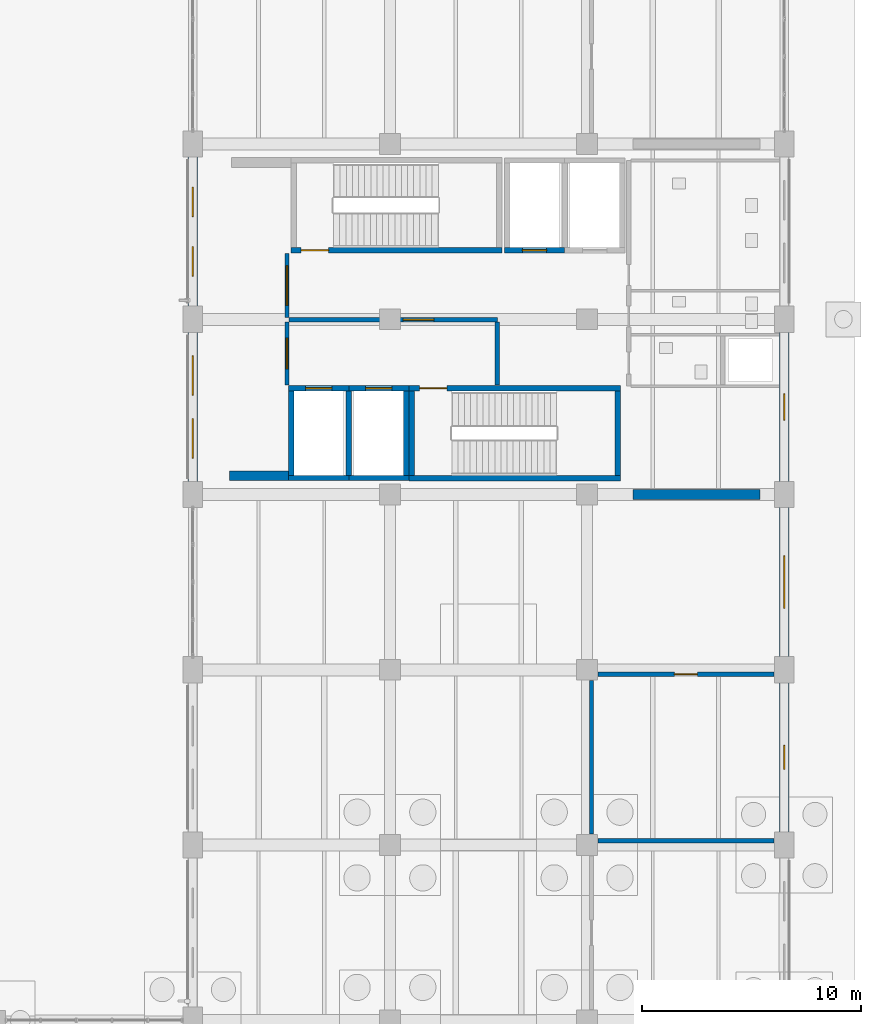
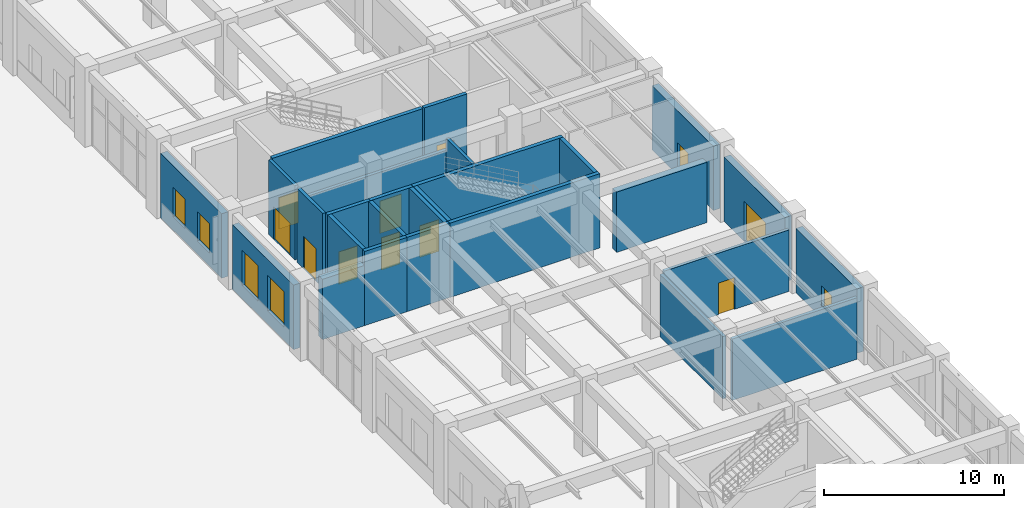
# One storey, part 98 of 121: 27 walls, 12 doors, 4 windows, 16 openings.
"""IFC4 building model written with IfcOpenShell, lengths in metres."""

from ifc_helpers import new_model, si_unit, derived_unit, direction, frame, frame_2d, origin, place, context, subcontext, project, spatial, rectangle, extrude, material, layer, layer_set, type_object, element, fill, save


model = new_model("IFC4")

# Units and contexts
model_context = context("Model", 3, precision=1e-05, world=origin(), true_north=direction((0.0, 1.0)))
body_context = subcontext(model_context, "Body", "Model", "MODEL_VIEW")
ifc_project = project(units=[si_unit("LENGTHUNIT", "METRE"), si_unit("AREAUNIT", "SQUARE_METRE"), si_unit("VOLUMEUNIT", "CUBIC_METRE"), si_unit("PLANEANGLEUNIT", "RADIAN"), si_unit("MASSUNIT", "GRAM", prefix="KILO"), derived_unit("THERMALTRANSMITTANCEUNIT", [(si_unit("MASSUNIT", "GRAM", prefix="KILO"), 1), (si_unit("TIMEUNIT", "SECOND"), -3), (si_unit("THERMODYNAMICTEMPERATUREUNIT", "KELVIN"), -1)])], contexts=[model_context])

# Site, building, storey
site_placement = place(None, origin())
site = spatial("IfcSite", under=ifc_project, at=site_placement, CompositionType="ELEMENT")
building_placement = place(site_placement, origin())
building = spatial("IfcBuilding", under=site, at=building_placement, Name="Zhenchuan Archway Interchange", CompositionType="ELEMENT")
storey_placement = place(building_placement, origin())
storey = spatial("IfcBuildingStorey", under=building, at=storey_placement, Name="L00", CompositionType="ELEMENT", Elevation=0.0)

# Wall, opening, door
ifc_material_1 = material(Name="Granite Stone Cladding", Category="masonry")
ifc_layer_1 = layer(ifc_material_1, 0.419921875)
ifc_layer_set_1 = layer_set([ifc_layer_1], Name="Granite Stone Cladding")
wall_type_1 = type_object("IfcWallType", Name="EW_GRANITE_420", PredefinedType="STANDARD", material=ifc_layer_set_1)
wall_1_placement = place(storey_placement, frame((171.0, 55.402099609375, 0.0), z_axis=(0.0, 0.0, 1.0), x_axis=(0.0, -1.0, 0.0)))
wall_1 = element("IfcWall", 1, at=wall_1_placement, inside=storey, type_object=wall_type_1, Name="Exterior wall L00-071", PredefinedType="STANDARD", context=body_context, shape_type="SweptSolid", body=[
    extrude(rectangle(XDim=6.80419921875, YDim=0.419921875, at=frame_2d((3.402099609375, 0.0))), origin(), (0.0, 0.0, 1.0), 4.3798828125),
])
opening_1_placement = place(wall_1_placement, frame((2.802001953125, 0.0, 0.0)))
opening_1 = element("IfcOpeningElement", 2, at=opening_1_placement, cuts=wall_1, Name="Opening ED-06", PredefinedType="OPENING", context=body_context, shape_type="SweptSolid", body=[
    extrude(rectangle(XDim=1.199951171875, YDim=2.199951171875, at=frame_2d((0.60009765625, 1.10009765625))), frame((0.0, 0.221923828125, 0.0), z_axis=(0.0, -1.0, 0.0), x_axis=(1.0, 0.0, 0.0)), (0.0, 0.0, 1.0), 0.44384765625),
])
ifc_material_2 = material(Name="Painted Galvanised Steel", Category="steel")
door_type_1 = type_object("IfcDoorType", Name="ED_EXIT_1200x2200", OperationType="NOTDEFINED", PredefinedType="DOOR", material=ifc_material_2)
door_1_placement = place(opening_1_placement, origin())
door_1 = element("IfcDoor", 3, at=door_1_placement, inside=storey, type_object=door_type_1, Name="Exterior entrance door L00-028", OperationType="SINGLE_SWING_RIGHT", OverallHeight=2.199951171875, OverallWidth=1.199951171875, PredefinedType="DOOR", context=body_context, shape_type="SweptSolid", body=[
    extrude(rectangle(XDim=1.199951171875, YDim=2.199951171875, at=frame_2d((0.60009765625, 1.10009765625))), frame((0.0, 0.02490234375, 0.0), z_axis=(0.0, -1.0, 0.0), x_axis=(1.0, 0.0, 0.0)), (0.0, 0.0, 1.0), 0.050048828125),
])
fill(opening_1, door_1)

wall_2_placement = place(storey_placement, frame((171.0, 47.402099609375, 0.0), z_axis=(0.0, 0.0, 1.0), x_axis=(0.0, -1.0, 0.0)))
wall_2 = element("IfcWall", 4, at=wall_2_placement, inside=storey, type_object=wall_type_1, Name="Exterior wall L00-072", PredefinedType="STANDARD", context=body_context, shape_type="SweptSolid", body=[
    extrude(rectangle(XDim=6.80419921875, YDim=0.419921875, at=frame_2d((3.402099609375, 0.0))), origin(), (0.0, 0.0, 1.0), 4.3798828125),
])
opening_2_placement = place(wall_2_placement, frame((2.201904296875, 0.0, 0.0)))
opening_2 = element("IfcOpeningElement", 5, at=opening_2_placement, cuts=wall_2, Name="Opening ED-01", PredefinedType="OPENING", context=body_context, shape_type="SweptSolid", body=[
    extrude(rectangle(XDim=2.39990234375, YDim=2.699951171875, at=frame_2d((1.199951171875, 1.35009765625))), frame((0.0, 0.221923828125, 0.0), z_axis=(0.0, -1.0, 0.0), x_axis=(1.0, 0.0, 0.0)), (0.0, 0.0, 1.0), 0.44384765625),
])
ifc_material_3 = material(Name="Anodised Aluminium", Category="aluminium")
door_type_2 = type_object("IfcDoorType", Name="ED_MAIN_2400x2700", OperationType="DOUBLE_DOOR_SINGLE_SWING", PredefinedType="DOOR", material=ifc_material_3)
door_2_placement = place(opening_2_placement, origin())
door_2 = element("IfcDoor", 6, at=door_2_placement, inside=storey, type_object=door_type_2, Name="Exterior entrance door L00-029", OperationType="SINGLE_SWING_LEFT", OverallHeight=2.699951171875, OverallWidth=2.39990234375, PredefinedType="DOOR", context=body_context, shape_type="SweptSolid", body=[
    extrude(rectangle(XDim=2.39990234375, YDim=2.699951171875, at=frame_2d((1.199951171875, 1.35009765625))), frame((0.0, 0.02490234375, 0.0), z_axis=(0.0, -1.0, 0.0), x_axis=(1.0, 0.0, 0.0)), (0.0, 0.0, 1.0), 0.050048828125),
])
fill(opening_2, door_2)

wall_3_placement = place(storey_placement, frame((171.0, 39.402099609375, 0.0), z_axis=(0.0, 0.0, 1.0), x_axis=(0.0, -1.0, 0.0)))
wall_3 = element("IfcWall", 7, at=wall_3_placement, inside=storey, type_object=wall_type_1, Name="Exterior wall L00-073", PredefinedType="STANDARD", context=body_context, shape_type="SweptSolid", body=[
    extrude(rectangle(XDim=6.80419921875, YDim=0.419921875, at=frame_2d((3.402099609375, 0.0))), origin(), (0.0, 0.0, 1.0), 4.3798828125),
])
opening_3_placement = place(wall_3_placement, frame((2.85205078125, 0.0, 0.0)))
opening_3 = element("IfcOpeningElement", 8, at=opening_3_placement, cuts=wall_3, Name="Opening ED-07", PredefinedType="OPENING", context=body_context, shape_type="SweptSolid", body=[
    extrude(rectangle(XDim=1.10009765625, YDim=2.199951171875, at=frame_2d((0.550048828125, 1.10009765625))), frame((0.0, 0.221923828125, 0.0), z_axis=(0.0, -1.0, 0.0), x_axis=(1.0, 0.0, 0.0)), (0.0, 0.0, 1.0), 0.44384765625),
])
door_type_3 = type_object("IfcDoorType", Name="ED_FCR_1100x2200", OperationType="NOTDEFINED", PredefinedType="DOOR", material=ifc_material_2)
door_3_placement = place(opening_3_placement, origin())
door_3 = element("IfcDoor", 9, at=door_3_placement, inside=storey, type_object=door_type_3, Name="Exterior entrance door L00-030", OperationType="SINGLE_SWING_LEFT", OverallHeight=2.199951171875, OverallWidth=1.10009765625, PredefinedType="DOOR", context=body_context, shape_type="SweptSolid", body=[
    extrude(rectangle(XDim=1.10009765625, YDim=2.199951171875, at=frame_2d((0.550048828125, 1.10009765625))), frame((0.0, 0.02490234375, 0.0), z_axis=(0.0, -1.0, 0.0), x_axis=(1.0, 0.0, 0.0)), (0.0, 0.0, 1.0), 0.050048828125),
])
fill(opening_3, door_3)

# Wall, openings, windows
wall_4_placement = place(storey_placement, frame((144.0, 48.597900390625, 0.0), z_axis=(0.0, 0.0, 1.0), x_axis=(0.0, 1.0, 0.0)))
wall_4 = element("IfcWall", 10, at=wall_4_placement, inside=storey, type_object=wall_type_1, Name="Exterior wall L00-106", PredefinedType="STANDARD", context=body_context, shape_type="SweptSolid", body=[
    extrude(rectangle(XDim=6.80419921875, YDim=0.419921875, at=frame_2d((3.402099609375, 0.0))), origin(), (0.0, 0.0, 1.0), 4.3798828125),
])
opening_4_placement = place(wall_4_placement, frame((1.068115234375, 0.0, 0.89990234375)))
opening_4 = element("IfcOpeningElement", 11, at=opening_4_placement, cuts=wall_4, Name="Opening W-03", PredefinedType="OPENING", context=body_context, shape_type="SweptSolid", body=[
    extrude(rectangle(XDim=1.800048828125, YDim=2.39990234375, at=frame_2d((0.89990234375, 1.199951171875))), frame((0.0, 0.221923828125, 0.0), z_axis=(0.0, -1.0, 0.0), x_axis=(1.0, 0.0, 0.0)), (0.0, 0.0, 1.0), 0.44384765625),
])
opening_5_placement = place(wall_4_placement, frame((3.93603515625, 0.0, 0.89990234375)))
opening_5 = element("IfcOpeningElement", 12, at=opening_5_placement, cuts=wall_4, Name="Opening W-03", PredefinedType="OPENING", context=body_context, shape_type="SweptSolid", body=[
    extrude(rectangle(XDim=1.800048828125, YDim=2.39990234375, at=frame_2d((0.89990234375, 1.199951171875))), frame((0.0, 0.221923828125, 0.0), z_axis=(0.0, -1.0, 0.0), x_axis=(1.0, 0.0, 0.0)), (0.0, 0.0, 1.0), 0.44384765625),
])
ifc_material_4 = material(Name="Double Low-E Insulated Glazing", Category="glass")
window_type_1 = type_object("IfcWindowType", Name="WN_PUNCH_1800x2400", PartitioningType="SINGLE_PANEL", PredefinedType="WINDOW", material=ifc_material_4)
window_1_placement = place(opening_4_placement, origin())
window_1 = element("IfcWindow", 13, at=window_1_placement, inside=storey, type_object=window_type_1, Name="Window L00-0084", OverallHeight=2.39990234375, OverallWidth=1.800048828125, PartitioningType="SINGLE_PANEL", PredefinedType="WINDOW", context=body_context, shape_type="SweptSolid", body=[
    extrude(rectangle(XDim=1.800048828125, YDim=2.39990234375, at=frame_2d((0.89990234375, 1.199951171875))), frame((0.0, 0.030029296875, 0.0), z_axis=(0.0, -1.0, 0.0), x_axis=(1.0, 0.0, 0.0)), (0.0, 0.0, 1.0), 0.06005859375),
])
fill(opening_4, window_1)
window_2_placement = place(opening_5_placement, origin())
window_2 = element("IfcWindow", 14, at=window_2_placement, inside=storey, type_object=window_type_1, Name="Window L00-0085", OverallHeight=2.39990234375, OverallWidth=1.800048828125, PartitioningType="SINGLE_PANEL", PredefinedType="WINDOW", context=body_context, shape_type="SweptSolid", body=[
    extrude(rectangle(XDim=1.800048828125, YDim=2.39990234375, at=frame_2d((0.89990234375, 1.199951171875))), frame((0.0, 0.030029296875, 0.0), z_axis=(0.0, -1.0, 0.0), x_axis=(1.0, 0.0, 0.0)), (0.0, 0.0, 1.0), 0.06005859375),
])
fill(opening_5, window_2)

wall_5_placement = place(storey_placement, frame((144.0, 56.597900390625, 0.0), z_axis=(0.0, 0.0, 1.0), x_axis=(0.0, 1.0, 0.0)))
wall_5 = element("IfcWall", 15, at=wall_5_placement, inside=storey, type_object=wall_type_1, Name="Exterior wall L00-107", PredefinedType="STANDARD", context=body_context, shape_type="SweptSolid", body=[
    extrude(rectangle(XDim=6.80419921875, YDim=0.419921875, at=frame_2d((3.402099609375, 0.0))), origin(), (0.0, 0.0, 1.0), 4.3798828125),
])
opening_6_placement = place(wall_5_placement, frame((1.367919921875, 0.0, 0.89990234375)))
opening_6 = element("IfcOpeningElement", 16, at=opening_6_placement, cuts=wall_5, Name="Opening W-06", PredefinedType="OPENING", context=body_context, shape_type="SweptSolid", body=[
    extrude(rectangle(XDim=1.35009765625, YDim=2.0, at=frame_2d((0.675048828125, 1.0))), frame((0.0, 0.221923828125, 0.0), z_axis=(0.0, -1.0, 0.0), x_axis=(1.0, 0.0, 0.0)), (0.0, 0.0, 1.0), 0.44384765625),
])
opening_7_placement = place(wall_5_placement, frame((4.0859375, 0.0, 0.89990234375)))
opening_7 = element("IfcOpeningElement", 17, at=opening_7_placement, cuts=wall_5, Name="Opening W-06", PredefinedType="OPENING", context=body_context, shape_type="SweptSolid", body=[
    extrude(rectangle(XDim=1.35009765625, YDim=2.0, at=frame_2d((0.675048828125, 1.0))), frame((0.0, 0.221923828125, 0.0), z_axis=(0.0, -1.0, 0.0), x_axis=(1.0, 0.0, 0.0)), (0.0, 0.0, 1.0), 0.44384765625),
])
window_type_2 = type_object("IfcWindowType", Name="WN_MOD_1350x2000", PartitioningType="SINGLE_PANEL", PredefinedType="WINDOW", material=ifc_material_4)
window_3_placement = place(opening_6_placement, origin())
window_3 = element("IfcWindow", 18, at=window_3_placement, inside=storey, type_object=window_type_2, Name="Window L00-0086", OverallHeight=2.0, OverallWidth=1.35009765625, PartitioningType="SINGLE_PANEL", PredefinedType="WINDOW", context=body_context, shape_type="SweptSolid", body=[
    extrude(rectangle(XDim=1.35009765625, YDim=2.0, at=frame_2d((0.675048828125, 1.0))), frame((0.0, 0.030029296875, 0.0), z_axis=(0.0, -1.0, 0.0), x_axis=(1.0, 0.0, 0.0)), (0.0, 0.0, 1.0), 0.06005859375),
])
fill(opening_6, window_3)
window_4_placement = place(opening_7_placement, origin())
window_4 = element("IfcWindow", 19, at=window_4_placement, inside=storey, type_object=window_type_2, Name="Window L00-0087", OverallHeight=2.0, OverallWidth=1.35009765625, PartitioningType="SINGLE_PANEL", PredefinedType="WINDOW", context=body_context, shape_type="SweptSolid", body=[
    extrude(rectangle(XDim=1.35009765625, YDim=2.0, at=frame_2d((0.675048828125, 1.0))), frame((0.0, 0.030029296875, 0.0), z_axis=(0.0, -1.0, 0.0), x_axis=(1.0, 0.0, 0.0)), (0.0, 0.0, 1.0), 0.06005859375),
])
fill(opening_7, window_4)

# Walls
ifc_material_5 = material(Name="Concrete C50", Category="concrete")
ifc_layer_2 = layer(ifc_material_5, 0.449951171875)
ifc_layer_set_2 = layer_set([ifc_layer_2], Name="Concrete C50")
wall_type_2 = type_object("IfcWallType", Name="WL_CORE_450", PredefinedType="SHEAR", material=ifc_layer_set_2)
wall_6_placement = place(storey_placement, frame((145.679931640625, 48.85498046875, 0.0), z_axis=(0.0, 0.0, 1.0), x_axis=(1.0, 0.0, 0.0)))
element("IfcWall", 20, at=wall_6_placement, inside=storey, type_object=wall_type_2, Name="Operations lateral shear wall W-S (L00)", PredefinedType="SHEAR", context=body_context, shape_type="SweptSolid", body=[
    extrude(rectangle(XDim=2.699951171875, YDim=0.449951171875, at=frame_2d((1.35009765625, 0.0))), origin(), (0.0, 0.0, 1.0), 4.10009765625),
])
wall_7_placement = place(storey_placement, frame((164.10009765625, 48.0, 0.0), z_axis=(0.0, 0.0, 1.0), x_axis=(1.0, 0.0, 0.0)))
element("IfcWall", 21, at=wall_7_placement, inside=storey, type_object=wall_type_2, Name="Operations lateral shear wall E-S (L00)", PredefinedType="SHEAR", context=body_context, shape_type="SweptSolid", body=[
    extrude(rectangle(XDim=5.7998046875, YDim=0.449951171875, at=frame_2d((2.89990234375, 0.0))), origin(), (0.0, 0.0, 1.0), 4.10009765625),
])

# Wall, opening, door
ifc_material_6 = material(Name="Autoclaved Aerated Concrete Block", Category="concrete")
ifc_layer_3 = layer(ifc_material_6, 0.199951171875)
ifc_layer_set_3 = layer_set([ifc_layer_3], Name="Autoclaved Aerated Concrete Block")
wall_type_3 = type_object("IfcWallType", Name="WL_FIRE_200", PredefinedType="STANDARD", material=ifc_layer_set_3)
wall_8_placement = place(storey_placement, frame((148.39990234375, 55.97998046875, 0.0), z_axis=(0.0, 0.0, 1.0), x_axis=(1.0, 0.0, 0.0)))
wall_8 = element("IfcWall", 22, at=wall_8_placement, inside=storey, type_object=wall_type_3, Name="Firefighting lift lobby smoke divider (L00)", PredefinedType="STANDARD", context=body_context, shape_type="SweptSolid", body=[
    extrude(rectangle(XDim=9.5, YDim=0.199951171875, at=frame_2d((4.75, 0.0))), origin(), (0.0, 0.0, 1.0), 4.22998046875),
])
opening_8_placement = place(wall_8_placement, frame((5.199951171875, 0.0, 0.0)))
opening_8 = element("IfcOpeningElement", 23, at=opening_8_placement, cuts=wall_8, Name="Opening FD-04", PredefinedType="OPENING", context=body_context, shape_type="SweptSolid", body=[
    extrude(rectangle(XDim=1.39990234375, YDim=2.199951171875, at=frame_2d((0.699951171875, 1.10009765625))), frame((0.0, 0.11181640625, 0.0), z_axis=(0.0, -1.0, 0.0), x_axis=(1.0, 0.0, 0.0)), (0.0, 0.0, 1.0), 0.223876953125),
])
door_type_4 = type_object("IfcDoorType", Name="DR_LOB_FD60", OperationType="DOUBLE_DOOR_SINGLE_SWING", PredefinedType="DOOR", material=ifc_material_2)
door_4_placement = place(opening_8_placement, origin())
door_4 = element("IfcDoor", 24, at=door_4_placement, inside=storey, type_object=door_type_4, Name="Firefighting to passenger lobby smoke door (L00)", OperationType="DOUBLE_DOOR_SINGLE_SWING", OverallHeight=2.199951171875, OverallWidth=1.39990234375, PredefinedType="DOOR", context=body_context, shape_type="SweptSolid", body=[
    extrude(rectangle(XDim=1.39990234375, YDim=2.199951171875, at=frame_2d((0.699951171875, 1.10009765625))), frame((0.0, 0.02490234375, 0.0), z_axis=(0.0, -1.0, 0.0), x_axis=(1.0, 0.0, 0.0)), (0.0, 0.0, 1.0), 0.050048828125),
])
fill(opening_8, door_4)

# Wall
wall_9_placement = place(storey_placement, frame((157.89990234375, 52.989990234375, 0.0), z_axis=(0.0, 0.0, 1.0), x_axis=(0.0, 1.0, 0.0)))
element("IfcWall", 25, at=wall_9_placement, inside=storey, type_object=wall_type_3, Name="Firefighting lift lobby east fire wall (L00)", PredefinedType="STANDARD", context=body_context, shape_type="SweptSolid", body=[
    extrude(rectangle(XDim=2.880126953125, YDim=0.199951171875, at=frame_2d((1.43994140625, 0.0))), origin(), (0.0, 0.0, 1.0), 5.050048828125),
])

# Wall, opening, door
wall_10_placement = place(storey_placement, frame((148.300048828125, 52.989990234375, 0.0), z_axis=(0.0, 0.0, 1.0), x_axis=(0.0, 1.0, 0.0)))
wall_10 = element("IfcWall", 26, at=wall_10_placement, inside=storey, type_object=wall_type_3, Name="Firefighting lift lobby west fire wall (L00)", PredefinedType="STANDARD", context=body_context, shape_type="SweptSolid", body=[
    extrude(rectangle(XDim=2.880126953125, YDim=0.199951171875, at=frame_2d((1.43994140625, 0.0))), origin(), (0.0, 0.0, 1.0), 5.050048828125),
])
opening_9_placement = place(wall_10_placement, frame((0.75, 0.0, 0.0)))
opening_9 = element("IfcOpeningElement", 27, at=opening_9_placement, cuts=wall_10, Name="Opening FD-04", PredefinedType="OPENING", context=body_context, shape_type="SweptSolid", body=[
    extrude(rectangle(XDim=1.39990234375, YDim=2.199951171875, at=frame_2d((0.699951171875, 1.10009765625))), frame((0.0, 0.11181640625, 0.0), z_axis=(0.0, -1.0, 0.0), x_axis=(1.0, 0.0, 0.0)), (0.0, 0.0, 1.0), 0.223876953125),
])
door_5_placement = place(opening_9_placement, origin())
door_5 = element("IfcDoor", 28, at=door_5_placement, inside=storey, type_object=door_type_4, Name="Firefighting lift lobby corridor fire door (L00)", OperationType="DOUBLE_DOOR_SINGLE_SWING", OverallHeight=2.199951171875, OverallWidth=1.39990234375, PredefinedType="DOOR", context=body_context, shape_type="SweptSolid", body=[
    extrude(rectangle(XDim=1.39990234375, YDim=2.199951171875, at=frame_2d((0.699951171875, 1.10009765625))), frame((0.0, 0.02490234375, 0.0), z_axis=(0.0, -1.0, 0.0), x_axis=(1.0, 0.0, 0.0)), (0.0, 0.0, 1.0), 0.050048828125),
])
fill(opening_9, door_5)

wall_11_placement = place(storey_placement, frame((148.300048828125, 56.090087890625, 0.0), z_axis=(0.0, 0.0, 1.0), x_axis=(0.0, 1.0, 0.0)))
wall_11 = element("IfcWall", 29, at=wall_11_placement, inside=storey, type_object=wall_type_3, Name="Passenger lift lobby west fire wall (L00)", PredefinedType="STANDARD", context=body_context, shape_type="SweptSolid", body=[
    extrude(rectangle(XDim=2.919921875, YDim=0.199951171875, at=frame_2d((1.4599609375, 0.0))), origin(), (0.0, 0.0, 1.0), 5.050048828125),
])
opening_10_placement = place(wall_11_placement, frame((0.550048828125, 0.0, 0.0)))
opening_10 = element("IfcOpeningElement", 30, at=opening_10_placement, cuts=wall_11, Name="Opening ID-01", PredefinedType="OPENING", context=body_context, shape_type="SweptSolid", body=[
    extrude(rectangle(XDim=1.800048828125, YDim=2.199951171875, at=frame_2d((0.89990234375, 1.10009765625))), frame((0.0, 0.11181640625, 0.0), z_axis=(0.0, -1.0, 0.0), x_axis=(1.0, 0.0, 0.0)), (0.0, 0.0, 1.0), 0.223876953125),
])
door_type_5 = type_object("IfcDoorType", Name="DR_LOBBY_DBL", OperationType="DOUBLE_DOOR_SINGLE_SWING", PredefinedType="DOOR", material=ifc_material_3)
door_6_placement = place(opening_10_placement, origin())
door_6 = element("IfcDoor", 31, at=door_6_placement, inside=storey, type_object=door_type_5, Name="Passenger lift lobby entrance door (L00)", OperationType="DOUBLE_DOOR_SINGLE_SWING", OverallHeight=2.199951171875, OverallWidth=1.800048828125, PredefinedType="DOOR", context=body_context, shape_type="SweptSolid", body=[
    extrude(rectangle(XDim=1.800048828125, YDim=2.199951171875, at=frame_2d((0.89990234375, 1.10009765625))), frame((0.0, 0.02490234375, 0.0), z_axis=(0.0, -1.0, 0.0), x_axis=(1.0, 0.0, 0.0)), (0.0, 0.0, 1.0), 0.050048828125),
])
fill(opening_10, door_6)

# Wall
wall_12_placement = place(storey_placement, frame((162.5, 32.199951171875, 0.0), z_axis=(0.0, 0.0, 1.0), x_axis=(1.0, 0.0, 0.0)))
element("IfcWall", 32, at=wall_12_placement, inside=storey, type_object=wall_type_3, Name="Fire Control Room S partition (L00)", PredefinedType="STANDARD", context=body_context, shape_type="SweptSolid", body=[
    extrude(rectangle(XDim=8.02490234375, YDim=0.199951171875, at=frame_2d((4.012451171875, 0.0))), origin(), (0.0, 0.0, 1.0), 4.179931640625),
])

# Wall, opening, door
wall_13_placement = place(storey_placement, frame((162.5, 39.800048828125, 0.0), z_axis=(0.0, 0.0, 1.0), x_axis=(1.0, 0.0, 0.0)))
wall_13 = element("IfcWall", 33, at=wall_13_placement, inside=storey, type_object=wall_type_3, Name="Fire Control Room N partition (L00)", PredefinedType="STANDARD", context=body_context, shape_type="SweptSolid", body=[
    extrude(rectangle(XDim=8.02490234375, YDim=0.199951171875, at=frame_2d((4.012451171875, 0.0))), origin(), (0.0, 0.0, 1.0), 4.179931640625),
])
opening_11_placement = place(wall_13_placement, frame((3.487548828125, 0.0, 0.0)))
opening_11 = element("IfcOpeningElement", 34, at=opening_11_placement, cuts=wall_13, Name="Opening FD-03", PredefinedType="OPENING", context=body_context, shape_type="SweptSolid", body=[
    extrude(rectangle(XDim=1.050048828125, YDim=2.14990234375, at=frame_2d((0.52490234375, 1.074951171875))), frame((0.0, 0.11181640625, 0.0), z_axis=(0.0, -1.0, 0.0), x_axis=(1.0, 0.0, 0.0)), (0.0, 0.0, 1.0), 0.223876953125),
])
door_type_6 = type_object("IfcDoorType", Name="DR_PLANT_FD60_S", OperationType="NOTDEFINED", PredefinedType="DOOR", material=ifc_material_2)
door_7_placement = place(opening_11_placement, origin())
door_7 = element("IfcDoor", 35, at=door_7_placement, inside=storey, type_object=door_type_6, Name="Fire Control Room door (L00)", OperationType="SINGLE_SWING_RIGHT", OverallHeight=2.14990234375, OverallWidth=1.050048828125, PredefinedType="DOOR", context=body_context, shape_type="SweptSolid", body=[
    extrude(rectangle(XDim=1.050048828125, YDim=2.14990234375, at=frame_2d((0.52490234375, 1.074951171875))), frame((0.0, 0.02490234375, 0.0), z_axis=(0.0, -1.0, 0.0), x_axis=(1.0, 0.0, 0.0)), (0.0, 0.0, 1.0), 0.050048828125),
])
fill(opening_11, door_7)

# Wall
wall_14_placement = place(storey_placement, frame((162.199951171875, 32.5, 0.0), z_axis=(0.0, 0.0, 1.0), x_axis=(0.0, 1.0, 0.0)))
element("IfcWall", 36, at=wall_14_placement, inside=storey, type_object=wall_type_3, Name="Fire Control Room W partition (L00)", PredefinedType="STANDARD", context=body_context, shape_type="SweptSolid", body=[
    extrude(rectangle(XDim=7.0, YDim=0.199951171875, at=frame_2d((3.5, 0.0))), origin(), (0.0, 0.0, 1.0), 4.22998046875),
])

# Wall, opening, door
ifc_material_7 = material(Name="Concrete C40", Category="concrete")
ifc_layer_4 = layer(ifc_material_7, 0.239990234375)
ifc_layer_set_4 = layer_set([ifc_layer_4], Name="Concrete C40")
wall_type_4 = type_object("IfcWallType", Name="WL_LIFT_240", PredefinedType="SHEAR", material=ifc_layer_set_4)
wall_15_placement = place(storey_placement, frame((158.22998046875, 59.14990234375, 0.0), z_axis=(0.0, 0.0, 1.0), x_axis=(1.0, 0.0, 0.0)))
wall_15 = element("IfcWall", 37, at=wall_15_placement, inside=storey, type_object=wall_type_4, Name="Lift LF-06 south shaft wall (L00)", PredefinedType="SHEAR", context=body_context, shape_type="SweptSolid", body=[
    extrude(rectangle(XDim=2.7451171875, YDim=0.239990234375, at=frame_2d((1.37255859375, 0.0))), origin(), (0.0, 0.0, 1.0), 5.050048828125),
])
opening_12_placement = place(wall_15_placement, frame((0.820068359375, 0.0, 0.0)))
opening_12 = element("IfcOpeningElement", 38, at=opening_12_placement, cuts=wall_15, Name="Opening LD-01", PredefinedType="OPENING", context=body_context, shape_type="SweptSolid", body=[
    extrude(rectangle(XDim=1.10009765625, YDim=2.199951171875, at=frame_2d((0.550048828125, 1.10009765625))), frame((0.0, 0.1318359375, 0.0), z_axis=(0.0, -1.0, 0.0), x_axis=(1.0, 0.0, 0.0)), (0.0, 0.0, 1.0), 0.263916015625),
])
ifc_material_8 = material(Name="Stainless Steel 304", Category="steel")
door_type_7 = type_object("IfcDoorType", Name="DR_LIFT_LD110", OperationType="DOUBLE_DOOR_SLIDING", PredefinedType="DOOR", material=ifc_material_8)
door_8_placement = place(opening_12_placement, origin())
door_8 = element("IfcDoor", 39, at=door_8_placement, inside=storey, type_object=door_type_7, Name="Lift LF-06 landing door (L00)", OperationType="DOUBLE_DOOR_SLIDING", OverallHeight=2.199951171875, OverallWidth=1.10009765625, PredefinedType="DOOR", context=body_context, shape_type="SweptSolid", body=[
    extrude(rectangle(XDim=1.10009765625, YDim=2.199951171875, at=frame_2d((0.550048828125, 1.10009765625))), frame((0.0, 0.02490234375, 0.0), z_axis=(0.0, -1.0, 0.0), x_axis=(1.0, 0.0, 0.0)), (0.0, 0.0, 1.0), 0.050048828125),
])
fill(opening_12, door_8)

# Wall
wall_16_placement = place(storey_placement, frame((148.3798828125, 48.75, 0.0), z_axis=(0.0, 0.0, 1.0), x_axis=(1.0, 0.0, 0.0)))
element("IfcWall", 40, at=wall_16_placement, inside=storey, type_object=wall_type_4, Name="Lift LF-08 south shaft wall (L00)", PredefinedType="SHEAR", context=body_context, shape_type="SweptSolid", body=[
    extrude(rectangle(XDim=2.740234375, YDim=0.239990234375, at=frame_2d((1.3701171875, 0.0))), origin(), (0.0, 0.0, 1.0), 5.050048828125),
])

# Wall, opening, door
wall_17_placement = place(storey_placement, frame((151.1201171875, 52.85009765625, 0.0), z_axis=(0.0, 0.0, 1.0), x_axis=(-1.0, 0.0, 0.0)))
wall_17 = element("IfcWall", 41, at=wall_17_placement, inside=storey, type_object=wall_type_4, Name="Lift LF-08 north shaft wall (L00)", PredefinedType="SHEAR", context=body_context, shape_type="SweptSolid", body=[
    extrude(rectangle(XDim=2.740234375, YDim=0.239990234375, at=frame_2d((1.3701171875, 0.0))), origin(), (0.0, 0.0, 1.0), 5.050048828125),
])
opening_13_placement = place(wall_17_placement, frame((0.77001953125, 0.0, 0.0)))
opening_13 = element("IfcOpeningElement", 42, at=opening_13_placement, cuts=wall_17, Name="Opening LD-02", PredefinedType="OPENING", context=body_context, shape_type="SweptSolid", body=[
    extrude(rectangle(XDim=1.199951171875, YDim=2.199951171875, at=frame_2d((0.60009765625, 1.10009765625))), frame((0.0, 0.1318359375, 0.0), z_axis=(0.0, -1.0, 0.0), x_axis=(1.0, 0.0, 0.0)), (0.0, 0.0, 1.0), 0.263916015625),
])
door_type_8 = type_object("IfcDoorType", Name="DR_LIFT_LD120", OperationType="DOUBLE_DOOR_SLIDING", PredefinedType="DOOR", material=ifc_material_8)
door_9_placement = place(opening_13_placement, origin())
door_9 = element("IfcDoor", 43, at=door_9_placement, inside=storey, type_object=door_type_8, Name="Lift LF-08 landing door (L00)", OperationType="DOUBLE_DOOR_SLIDING", OverallHeight=2.199951171875, OverallWidth=1.199951171875, PredefinedType="DOOR", context=body_context, shape_type="SweptSolid", body=[
    extrude(rectangle(XDim=1.199951171875, YDim=2.199951171875, at=frame_2d((0.60009765625, 1.10009765625))), frame((0.0, 0.02490234375, 0.0), z_axis=(0.0, -1.0, 0.0), x_axis=(1.0, 0.0, 0.0)), (0.0, 0.0, 1.0), 0.050048828125),
])
fill(opening_13, door_9)

# Walls
for number, where, z_axis, x_axis, name in (
    (44, (148.5, 52.72998046875, 0.0), (0.0, 0.0, 1.0), (0.0, -1.0, 0.0), "Lift LF-08 west shaft wall (L00)"),
    (45, (151.1201171875, 48.8701171875, 0.0), (0.0, 0.0, 1.0), (0.0, 1.0, 0.0), "Lift LF-08 east shaft wall (L00)"),
):
    element("IfcWall", number, at=place(storey_placement, frame(where, z_axis=z_axis, x_axis=x_axis)), inside=storey, type_object=wall_type_4, Name=name, PredefinedType="SHEAR", context=body_context, shape_type="SweptSolid", body=[
        extrude(rectangle(XDim=3.85986328125, YDim=0.239990234375, at=frame_2d((1.929931640625, 0.0))), origin(), (0.0, 0.0, 1.0), 5.050048828125),
    ])
wall_18_placement = place(storey_placement, frame((151.1201171875, 48.75, 0.0), z_axis=(0.0, 0.0, 1.0), x_axis=(1.0, 0.0, 0.0)))
element("IfcWall", 46, at=wall_18_placement, inside=storey, type_object=wall_type_4, Name="Lift LF-09 south shaft wall (L00)", PredefinedType="SHEAR", context=body_context, shape_type="SweptSolid", body=[
    extrude(rectangle(XDim=2.739990234375, YDim=0.239990234375, at=frame_2d((1.3701171875, 0.0))), origin(), (0.0, 0.0, 1.0), 5.050048828125),
])

# Wall, opening, door
wall_19_placement = place(storey_placement, frame((153.860107421875, 52.85009765625, 0.0), z_axis=(0.0, 0.0, 1.0), x_axis=(-1.0, 0.0, 0.0)))
wall_19 = element("IfcWall", 47, at=wall_19_placement, inside=storey, type_object=wall_type_4, Name="Lift LF-09 north shaft wall (L00)", PredefinedType="SHEAR", context=body_context, shape_type="SweptSolid", body=[
    extrude(rectangle(XDim=2.739990234375, YDim=0.239990234375, at=frame_2d((1.3701171875, 0.0))), origin(), (0.0, 0.0, 1.0), 5.050048828125),
])
opening_14_placement = place(wall_19_placement, frame((0.77001953125, 0.0, 0.0)))
opening_14 = element("IfcOpeningElement", 48, at=opening_14_placement, cuts=wall_19, Name="Opening LD-02", PredefinedType="OPENING", context=body_context, shape_type="SweptSolid", body=[
    extrude(rectangle(XDim=1.199951171875, YDim=2.199951171875, at=frame_2d((0.60009765625, 1.10009765625))), frame((0.0, 0.1318359375, 0.0), z_axis=(0.0, -1.0, 0.0), x_axis=(1.0, 0.0, 0.0)), (0.0, 0.0, 1.0), 0.263916015625),
])
door_10_placement = place(opening_14_placement, origin())
door_10 = element("IfcDoor", 49, at=door_10_placement, inside=storey, type_object=door_type_8, Name="Lift LF-09 landing door (L00)", OperationType="DOUBLE_DOOR_SLIDING", OverallHeight=2.199951171875, OverallWidth=1.199951171875, PredefinedType="DOOR", context=body_context, shape_type="SweptSolid", body=[
    extrude(rectangle(XDim=1.199951171875, YDim=2.199951171875, at=frame_2d((0.60009765625, 1.10009765625))), frame((0.0, 0.02490234375, 0.0), z_axis=(0.0, -1.0, 0.0), x_axis=(1.0, 0.0, 0.0)), (0.0, 0.0, 1.0), 0.050048828125),
])
fill(opening_14, door_10)

# Wall
wall_20_placement = place(storey_placement, frame((153.739990234375, 48.8701171875, 0.0), z_axis=(0.0, 0.0, 1.0), x_axis=(0.0, 1.0, 0.0)))
element("IfcWall", 50, at=wall_20_placement, inside=storey, type_object=wall_type_4, Name="Lift LF-09 east shaft wall (L00)", PredefinedType="SHEAR", context=body_context, shape_type="SweptSolid", body=[
    extrude(rectangle(XDim=3.85986328125, YDim=0.239990234375, at=frame_2d((1.929931640625, 0.0))), origin(), (0.0, 0.0, 1.0), 5.050048828125),
])

# Wall, opening, door
ifc_layer_5 = layer(ifc_material_7, 0.25)
ifc_layer_set_5 = layer_set([ifc_layer_5], Name="Concrete C40")
wall_type_5 = type_object("IfcWallType", Name="WL_STAIR_250", PredefinedType="SHEAR", material=ifc_layer_set_5)
wall_21_placement = place(storey_placement, frame((148.47509765625, 59.14990234375, 0.0), z_axis=(0.0, 0.0, 1.0), x_axis=(1.0, 0.0, 0.0)))
wall_21 = element("IfcWall", 51, at=wall_21_placement, inside=storey, type_object=wall_type_5, Name="Stair ST-O1 south wall (L00)", PredefinedType="SHEAR", context=body_context, shape_type="SweptSolid", body=[
    extrude(rectangle(XDim=9.64990234375, YDim=0.25, at=frame_2d((4.824951171875, 0.0))), origin(), (0.0, 0.0, 1.0), 5.050048828125),
])
opening_15_placement = place(wall_21_placement, frame((0.47509765625, 0.0, 0.0)))
opening_15 = element("IfcOpeningElement", 52, at=opening_15_placement, cuts=wall_21, Name="Opening FD-01", PredefinedType="OPENING", context=body_context, shape_type="SweptSolid", body=[
    extrude(rectangle(XDim=1.25, YDim=2.14990234375, at=frame_2d((0.625, 1.074951171875))), frame((0.0, 0.136962890625, 0.0), z_axis=(0.0, -1.0, 0.0), x_axis=(1.0, 0.0, 0.0)), (0.0, 0.0, 1.0), 0.27392578125),
])
door_type_9 = type_object("IfcDoorType", Name="DR_STAIR_FD90", OperationType="NOTDEFINED", PredefinedType="DOOR", material=ifc_material_2)
door_11_placement = place(opening_15_placement, frame((1.25, 0.0, 0.0), z_axis=(0.0, 0.0, 1.0), x_axis=(-1.0, 0.0, 0.0)))
door_11 = element("IfcDoor", 53, at=door_11_placement, inside=storey, type_object=door_type_9, Name="Stair ST-O1 fire door (L00)", OperationType="SINGLE_SWING_LEFT", OverallHeight=2.14990234375, OverallWidth=1.25, PredefinedType="DOOR", context=body_context, shape_type="SweptSolid", body=[
    extrude(rectangle(XDim=1.25, YDim=2.14990234375, at=frame_2d((0.625, 1.074951171875))), frame((0.0, 0.02490234375, 0.0), z_axis=(0.0, -1.0, 0.0), x_axis=(1.0, 0.0, 0.0)), (0.0, 0.0, 1.0), 0.050048828125),
])
fill(opening_15, door_11)

# Wall
wall_22_placement = place(storey_placement, frame((153.875, 48.75, 0.0), z_axis=(0.0, 0.0, 1.0), x_axis=(1.0, 0.0, 0.0)))
element("IfcWall", 54, at=wall_22_placement, inside=storey, type_object=wall_type_5, Name="Stair ST-O2 south wall (L00)", PredefinedType="SHEAR", context=body_context, shape_type="SweptSolid", body=[
    extrude(rectangle(XDim=9.64990234375, YDim=0.25, at=frame_2d((4.824951171875, 0.0))), origin(), (0.0, 0.0, 1.0), 5.050048828125),
])

# Wall, opening, door
wall_23_placement = place(storey_placement, frame((163.52490234375, 52.85009765625, 0.0), z_axis=(0.0, 0.0, 1.0), x_axis=(-1.0, 0.0, 0.0)))
wall_23 = element("IfcWall", 55, at=wall_23_placement, inside=storey, type_object=wall_type_5, Name="Stair ST-O2 north wall (L00)", PredefinedType="SHEAR", context=body_context, shape_type="SweptSolid", body=[
    extrude(rectangle(XDim=9.64990234375, YDim=0.25, at=frame_2d((4.824951171875, 0.0))), origin(), (0.0, 0.0, 1.0), 5.050048828125),
])
opening_16_placement = place(wall_23_placement, frame((7.925048828125, 0.0, 0.0)))
opening_16 = element("IfcOpeningElement", 56, at=opening_16_placement, cuts=wall_23, Name="Opening FD-01", PredefinedType="OPENING", context=body_context, shape_type="SweptSolid", body=[
    extrude(rectangle(XDim=1.25, YDim=2.14990234375, at=frame_2d((0.625, 1.074951171875))), frame((0.0, 0.136962890625, 0.0), z_axis=(0.0, -1.0, 0.0), x_axis=(1.0, 0.0, 0.0)), (0.0, 0.0, 1.0), 0.27392578125),
])
door_12_placement = place(opening_16_placement, frame((1.25, 0.0, 0.0), z_axis=(0.0, 0.0, 1.0), x_axis=(-1.0, 0.0, 0.0)))
door_12 = element("IfcDoor", 57, at=door_12_placement, inside=storey, type_object=door_type_9, Name="Stair ST-O2 fire door (L00)", OperationType="SINGLE_SWING_RIGHT", OverallHeight=2.14990234375, OverallWidth=1.25, PredefinedType="DOOR", context=body_context, shape_type="SweptSolid", body=[
    extrude(rectangle(XDim=1.25, YDim=2.14990234375, at=frame_2d((0.625, 1.074951171875))), frame((0.0, 0.02490234375, 0.0), z_axis=(0.0, -1.0, 0.0), x_axis=(1.0, 0.0, 0.0)), (0.0, 0.0, 1.0), 0.050048828125),
])
fill(opening_16, door_12)

# Walls
for number, where, z_axis, x_axis, name in (
    (58, (154.0, 52.72509765625, 0.0), (0.0, 0.0, 1.0), (0.0, -1.0, 0.0), "Stair ST-O2 west wall (L00)"),
    (59, (163.39990234375, 48.875, 0.0), (0.0, 0.0, 1.0), (0.0, 1.0, 0.0), "Stair ST-O2 east wall (L00)"),
):
    element("IfcWall", number, at=place(storey_placement, frame(where, z_axis=z_axis, x_axis=x_axis)), inside=storey, type_object=wall_type_5, Name=name, PredefinedType="SHEAR", context=body_context, shape_type="SweptSolid", body=[
        extrude(rectangle(XDim=3.85009765625, YDim=0.25, at=frame_2d((1.925048828125, 0.0))), origin(), (0.0, 0.0, 1.0), 5.050048828125),
    ])

save(model, "model.ifc")
